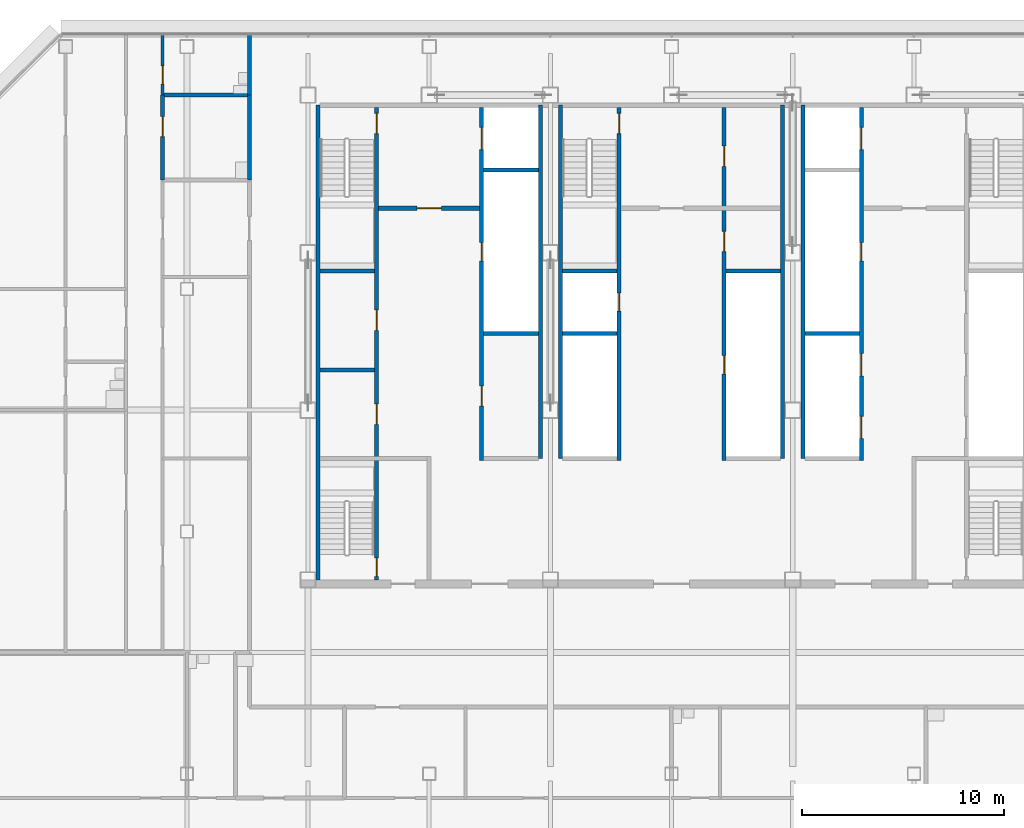
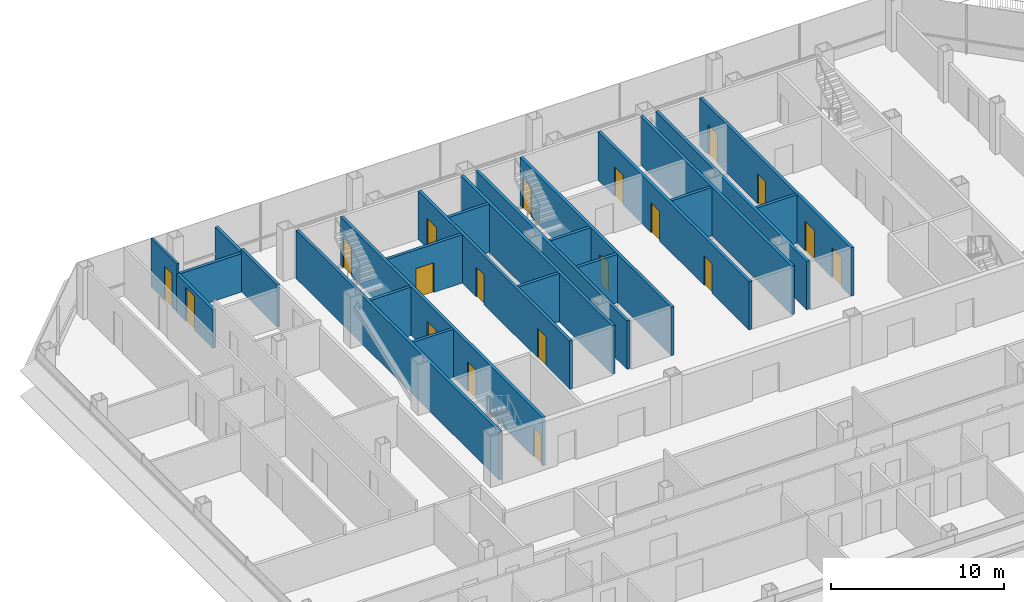
# One storey, part 20 of 27: 24 walls, 19 doors, 19 openings.
"""IFC4 building model written with IfcOpenShell, lengths in metres."""

from ifc_helpers import new_model, si_unit, direction, frame, frame_2d, origin, place, context, subcontext, project, spatial, rectangle, extrude, material, layer, layer_set, type_object, element, fill, save


model = new_model("IFC4")

# Units and contexts
model_context = context("Model", 3, precision=1e-05, world=origin(), true_north=direction((0.0, 1.0)))
body_context = subcontext(model_context, "Body", "Model", "MODEL_VIEW")
ifc_project = project(units=[si_unit("LENGTHUNIT", "METRE"), si_unit("AREAUNIT", "SQUARE_METRE"), si_unit("VOLUMEUNIT", "CUBIC_METRE"), si_unit("PLANEANGLEUNIT", "RADIAN"), si_unit("MASSUNIT", "GRAM", prefix="KILO")], contexts=[model_context])

# Site, building, storey
site_placement = place(None, origin())
site = spatial("IfcSite", under=ifc_project, at=site_placement, CompositionType="ELEMENT")
building_placement = place(site_placement, origin())
building = spatial("IfcBuilding", under=site, at=building_placement, Name="Sorahane Residences", CompositionType="ELEMENT")
storey_placement = place(building_placement, frame((0.0, 0.0, 192.0)))
storey = spatial("IfcBuildingStorey", under=building, at=storey_placement, Name="L44", CompositionType="ELEMENT", Elevation=192.0)

# Walls
ifc_material_1 = material(Name="Concrete C30", Category="concrete")
ifc_layer_1 = layer(ifc_material_1, 0.199951171875)
ifc_layer_set_1 = layer_set([ifc_layer_1], Name="Core face wall 200 EI 180")
wall_type_1 = type_object("IfcWallType", Name="Core face wall 200 EI 180", PredefinedType="SOLIDWALL", material=ifc_layer_set_1)
wall_1_placement = place(storey_placement, frame((6.5, 21.60009765625, 0.0), z_axis=(0.0, 0.0, 1.0), x_axis=(0.0, 1.0, 0.0)))
element("IfcWall", 1, at=wall_1_placement, inside=storey, type_object=wall_type_1, Name="L44 core face wall", PredefinedType="SOLIDWALL", context=body_context, shape_type="SweptSolid", body=[
    extrude(rectangle(XDim=23.5, YDim=0.199951171875, at=frame_2d((11.75, 0.0))), origin(), (0.0, 0.0, 1.0), 3.419921875),
])
for number, where, z_axis, x_axis, name in (
    (2, (17.5, 27.60009765625, 0.0), (0.0, 0.0, 1.0), (0.0, 1.0, 0.0), "L44 core face wall"),
    (3, (18.5, 27.60009765625, 0.0), (0.0, 0.0, 1.0), (0.0, 1.0, 0.0), "L44 core face wall"),
    (4, (29.5, 27.60009765625, 0.0), (0.0, 0.0, 1.0), (0.0, 1.0, 0.0), "L44 core face wall"),
    (5, (30.5, 27.60009765625, 0.0), (0.0, 0.0, 1.0), (0.0, 1.0, 0.0), "L44 core face wall"),
):
    element("IfcWall", number, at=place(storey_placement, frame(where, z_axis=z_axis, x_axis=x_axis)), inside=storey, type_object=wall_type_1, Name=name, PredefinedType="SOLIDWALL", context=body_context, shape_type="SweptSolid", body=[
        extrude(rectangle(XDim=17.5, YDim=0.199951171875, at=frame_2d((8.75, 0.0))), origin(), (0.0, 0.0, 1.0), 3.419921875),
    ])
ifc_material_2 = material(Name="Concrete blockwork C20 wall", Category="masonry")
ifc_layer_2 = layer(ifc_material_2, 0.199951171875)
ifc_layer_set_2 = layer_set([ifc_layer_2], Name="Corridor wall 200 EI 120")
wall_type_2 = type_object("IfcWallType", Name="Corridor wall 200 EI 120", PredefinedType="SOLIDWALL", material=ifc_layer_set_2)
wall_2_placement = place(storey_placement, frame((3.10009765625, 45.60009765625, 0.0), z_axis=(0.0, 0.0, 1.0), x_axis=(0.0, 1.0, 0.0)))
element("IfcWall", 6, at=wall_2_placement, inside=storey, type_object=wall_type_2, Name="L44 corridor wall", PredefinedType="SOLIDWALL", context=body_context, shape_type="SweptSolid", body=[
    extrude(rectangle(XDim=3.0, YDim=0.199951171875, at=frame_2d((1.5, 0.0))), origin(), (0.0, 0.0, 1.0), 2.719970703125),
])

# Wall, opening, door
ifc_material_3 = material(Name="Concrete C30", Category="concrete")
ifc_layer_3 = layer(ifc_material_3, 0.199951171875)
ifc_layer_set_3 = layer_set([ifc_layer_3], Name="Front room wall 200 EI 120")
wall_type_3 = type_object("IfcWallType", Name="Front room wall 200 EI 120", PredefinedType="PARTITIONING", material=ifc_layer_set_3)
wall_3_placement = place(storey_placement, frame((9.5, 40.0, 0.0), z_axis=(0.0, 0.0, 1.0), x_axis=(1.0, 0.0, 0.0)))
wall_3 = element("IfcWall", 7, at=wall_3_placement, inside=storey, type_object=wall_type_3, Name="L44 front room wall", PredefinedType="PARTITIONING", context=body_context, shape_type="SweptSolid", body=[
    extrude(rectangle(XDim=5.0, YDim=0.199951171875, at=frame_2d((2.5, 0.0))), origin(), (0.0, 0.0, 1.0), 3.419921875),
])
opening_1_placement = place(wall_3_placement, frame((1.89990234375, 0.0, 0.0)))
opening_1 = element("IfcOpeningElement", 8, at=opening_1_placement, cuts=wall_3, Name="Opening L44-C06", PredefinedType="OPENING", context=body_context, shape_type="SweptSolid", body=[
    extrude(rectangle(XDim=1.199951171875, YDim=2.10009765625, at=frame_2d((0.60009765625, 1.050048828125))), frame((0.0, 0.10986328125, 0.0), z_axis=(0.0, -1.0, 0.0), x_axis=(1.0, 0.0, 0.0)), (0.0, 0.0, 1.0), 0.219970703125),
])
ifc_material_4 = material(Name="Steel", Category="steel")
door_type_1 = type_object("IfcDoorType", Name="Front room door 1200x2100 FD120", OperationType="NOTDEFINED", PredefinedType="DOOR", material=ifc_material_4)
door_1_placement = place(opening_1_placement, frame((1.199951171875, 0.0, 0.0), z_axis=(0.0, 0.0, 1.0), x_axis=(-1.0, 0.0, 0.0)))
door_1 = element("IfcDoor", 9, at=door_1_placement, inside=storey, type_object=door_type_1, Name="Front room door Firefighting lobby FF1 front room L44", OperationType="DOUBLE_DOOR_SINGLE_SWING", OverallHeight=2.10009765625, OverallWidth=1.199951171875, PredefinedType="DOOR", context=body_context, shape_type="SweptSolid", body=[
    extrude(rectangle(XDim=1.199951171875, YDim=2.10009765625, at=frame_2d((0.60009765625, 1.050048828125))), frame((0.0, 0.02490234375, 0.0), z_axis=(0.0, -1.0, 0.0), x_axis=(1.0, 0.0, 0.0)), (0.0, 0.0, 1.0), 0.050048828125),
])
fill(opening_1, door_1)

ifc_material_5 = material(Name="Concrete blockwork C20 wall", Category="masonry")
ifc_layer_4 = layer(ifc_material_5, 0.199951171875)
ifc_layer_set_4 = layer_set([ifc_layer_4], Name="Kitchen wall 200 EI 180")
wall_type_4 = type_object("IfcWallType", Name="Kitchen wall 200 EI 180", PredefinedType="SOLIDWALL", material=ifc_layer_set_4)
wall_4_placement = place(storey_placement, frame((-1.199951171875, 41.39990234375, 0.0), z_axis=(0.0, 0.0, 1.0), x_axis=(0.0, 1.0, 0.0)))
wall_4 = element("IfcWall", 10, at=wall_4_placement, inside=storey, type_object=wall_type_4, Name="L44 kitchen wall", PredefinedType="SOLIDWALL", context=body_context, shape_type="SweptSolid", body=[
    extrude(rectangle(XDim=4.2001953125, YDim=0.199951171875, at=frame_2d((2.10009765625, 0.0))), origin(), (0.0, 0.0, 1.0), 2.719970703125),
])
opening_2_placement = place(wall_4_placement, frame((2.139892578125, 0.0, 0.0)))
opening_2 = element("IfcOpeningElement", 11, at=opening_2_placement, cuts=wall_4, Name="Opening L44-35", PredefinedType="OPENING", context=body_context, shape_type="SweptSolid", body=[
    extrude(rectangle(XDim=1.0, YDim=2.39990234375, at=frame_2d((0.5, 1.199951171875))), frame((0.0, 0.10986328125, 0.0), z_axis=(0.0, -1.0, 0.0), x_axis=(1.0, 0.0, 0.0)), (0.0, 0.0, 1.0), 0.219970703125),
])
ifc_material_6 = material(Name="Steel", Category="steel")
door_type_2 = type_object("IfcDoorType", Name="Kitchen door 1000x2400 FD120", OperationType="NOTDEFINED", PredefinedType="DOOR", material=ifc_material_6)
door_2_placement = place(opening_2_placement, frame((1.0, 0.0, 0.0), z_axis=(0.0, 0.0, 1.0), x_axis=(-1.0, 0.0, 0.0)))
door_2 = element("IfcDoor", 12, at=door_2_placement, inside=storey, type_object=door_type_2, Name="Kitchen door L44-35", OperationType="SINGLE_SWING_LEFT", OverallHeight=2.39990234375, OverallWidth=1.0, PredefinedType="DOOR", context=body_context, shape_type="SweptSolid", body=[
    extrude(rectangle(XDim=1.0, YDim=2.39990234375, at=frame_2d((0.5, 1.199951171875))), frame((0.0, 0.02490234375, 0.0), z_axis=(0.0, -1.0, 0.0), x_axis=(1.0, 0.0, 0.0)), (0.0, 0.0, 1.0), 0.050048828125),
])
fill(opening_2, door_2)

# Walls
wall_5_placement = place(storey_placement, frame((3.10009765625, 41.39990234375, 0.0), z_axis=(0.0, 0.0, 1.0), x_axis=(0.0, 1.0, 0.0)))
element("IfcWall", 13, at=wall_5_placement, inside=storey, type_object=wall_type_4, Name="L44 kitchen wall", PredefinedType="SOLIDWALL", context=body_context, shape_type="SweptSolid", body=[
    extrude(rectangle(XDim=4.2001953125, YDim=0.199951171875, at=frame_2d((2.10009765625, 0.0))), origin(), (0.0, 0.0, 1.0), 2.969970703125),
])
wall_6_placement = place(storey_placement, frame((-1.199951171875, 45.60009765625, 0.0), z_axis=(0.0, 0.0, 1.0), x_axis=(1.0, 0.0, 0.0)))
element("IfcWall", 14, at=wall_6_placement, inside=storey, type_object=wall_type_4, Name="L44 kitchen wall", PredefinedType="SOLIDWALL", context=body_context, shape_type="SweptSolid", body=[
    extrude(rectangle(XDim=4.300048828125, YDim=0.199951171875, at=frame_2d((2.14990234375, 0.0))), origin(), (0.0, 0.0, 1.0), 2.719970703125),
])

# Wall, openings, doors
ifc_material_7 = material(Name="Concrete C30", Category="concrete")
ifc_layer_5 = layer(ifc_material_7, 0.199951171875)
ifc_layer_set_5 = layer_set([ifc_layer_5], Name="Lift shaft wall 200 EI 120")
wall_type_5 = type_object("IfcWallType", Name="Lift shaft wall 200 EI 120", PredefinedType="SOLIDWALL", material=ifc_layer_set_5)
wall_7_placement = place(storey_placement, frame((14.60009765625, 27.5, 0.0), z_axis=(0.0, 0.0, 1.0), x_axis=(0.0, 1.0, 0.0)))
wall_7 = element("IfcWall", 15, at=wall_7_placement, inside=storey, type_object=wall_type_5, Name="L44 lift shaft wall", PredefinedType="SOLIDWALL", context=body_context, shape_type="SweptSolid", body=[
    extrude(rectangle(XDim=17.5, YDim=0.199951171875, at=frame_2d((8.75, 0.0))), origin(), (0.0, 0.0, 1.0), 3.419921875),
])
opening_3_placement = place(wall_7_placement, frame((15.39990234375, 0.0, 0.0)))
opening_3 = element("IfcOpeningElement", 16, at=opening_3_placement, cuts=wall_7, Name="Opening L44-C15", PredefinedType="OPENING", context=body_context, shape_type="SweptSolid", body=[
    extrude(rectangle(XDim=1.10009765625, YDim=2.10009765625, at=frame_2d((0.550048828125, 1.050048828125))), frame((0.0, 0.10986328125, 0.0), z_axis=(0.0, -1.0, 0.0), x_axis=(1.0, 0.0, 0.0)), (0.0, 0.0, 1.0), 0.219970703125),
])
opening_4_placement = place(wall_7_placement, frame((2.699951171875, 0.0, 0.0)))
opening_4 = element("IfcOpeningElement", 17, at=opening_4_placement, cuts=wall_7, Name="Opening L44-C16", PredefinedType="OPENING", context=body_context, shape_type="SweptSolid", body=[
    extrude(rectangle(XDim=1.0, YDim=2.10009765625, at=frame_2d((0.5, 1.050048828125))), frame((0.0, 0.10986328125, 0.0), z_axis=(0.0, -1.0, 0.0), x_axis=(1.0, 0.0, 0.0)), (0.0, 0.0, 1.0), 0.219970703125),
])
opening_5_placement = place(wall_7_placement, frame((9.89990234375, 0.0, 0.0)))
opening_5 = element("IfcOpeningElement", 18, at=opening_5_placement, cuts=wall_7, Name="Opening L44-C24", PredefinedType="OPENING", context=body_context, shape_type="SweptSolid", body=[
    extrude(rectangle(XDim=0.89990234375, YDim=2.10009765625, at=frame_2d((0.449951171875, 1.050048828125))), frame((0.0, 0.10986328125, 0.0), z_axis=(0.0, -1.0, 0.0), x_axis=(1.0, 0.0, 0.0)), (0.0, 0.0, 1.0), 0.219970703125),
])
ifc_material_8 = material(Name="Aluminium and stainless steel", Category="steel")
door_type_3 = type_object("IfcDoorType", Name="Lift landing door 1100x2100 E 60", OperationType="NOTDEFINED", PredefinedType="DOOR", material=ifc_material_8)
door_3_placement = place(opening_3_placement, origin())
door_3 = element("IfcDoor", 19, at=door_3_placement, inside=storey, type_object=door_type_3, Name="Lift landing door FF1 L44", OperationType="DOUBLE_DOOR_SLIDING", OverallHeight=2.10009765625, OverallWidth=1.10009765625, PredefinedType="DOOR", context=body_context, shape_type="SweptSolid", body=[
    extrude(rectangle(XDim=1.10009765625, YDim=2.10009765625, at=frame_2d((0.550048828125, 1.050048828125))), frame((0.0, 0.02490234375, 0.0), z_axis=(0.0, -1.0, 0.0), x_axis=(1.0, 0.0, 0.0)), (0.0, 0.0, 1.0), 0.050048828125),
])
fill(opening_3, door_3)
ifc_material_9 = material(Name="Steel", Category="steel")
door_type_4 = type_object("IfcDoorType", Name="Riser door 900x2100 FD120", OperationType="NOTDEFINED", PredefinedType="DOOR", material=ifc_material_9)
door_4_placement = place(opening_5_placement, origin())
door_4 = element("IfcDoor", 20, at=door_4_placement, inside=storey, type_object=door_type_4, Name="Riser door R1 L44", OperationType="SINGLE_SWING_LEFT", OverallHeight=2.10009765625, OverallWidth=0.89990234375, PredefinedType="DOOR", context=body_context, shape_type="SweptSolid", body=[
    extrude(rectangle(XDim=0.89990234375, YDim=2.10009765625, at=frame_2d((0.449951171875, 1.050048828125))), frame((0.0, 0.02490234375, 0.0), z_axis=(0.0, -1.0, 0.0), x_axis=(1.0, 0.0, 0.0)), (0.0, 0.0, 1.0), 0.050048828125),
])
fill(opening_5, door_4)
ifc_material_10 = material(Name="Steel", Category="steel")
door_type_5 = type_object("IfcDoorType", Name="Service room door 1000x2100 FD60", OperationType="NOTDEFINED", PredefinedType="DOOR", material=ifc_material_10)
door_5_placement = place(opening_4_placement, frame((1.0, 0.0, 0.0), z_axis=(0.0, 0.0, 1.0), x_axis=(-1.0, 0.0, 0.0)))
door_5 = element("IfcDoor", 21, at=door_5_placement, inside=storey, type_object=door_type_5, Name="Service room door Gift store L44", OperationType="SINGLE_SWING_RIGHT", OverallHeight=2.10009765625, OverallWidth=1.0, PredefinedType="DOOR", context=body_context, shape_type="SweptSolid", body=[
    extrude(rectangle(XDim=1.0, YDim=2.10009765625, at=frame_2d((0.5, 1.050048828125))), frame((0.0, 0.02490234375, 0.0), z_axis=(0.0, -1.0, 0.0), x_axis=(1.0, 0.0, 0.0)), (0.0, 0.0, 1.0), 0.050048828125),
])
fill(opening_4, door_5)

wall_8_placement = place(storey_placement, frame((33.39990234375, 27.5, 0.0), z_axis=(0.0, 0.0, 1.0), x_axis=(0.0, 1.0, 0.0)))
wall_8 = element("IfcWall", 22, at=wall_8_placement, inside=storey, type_object=wall_type_5, Name="L44 lift shaft wall", PredefinedType="SOLIDWALL", context=body_context, shape_type="SweptSolid", body=[
    extrude(rectangle(XDim=17.5, YDim=0.199951171875, at=frame_2d((8.75, 0.0))), origin(), (0.0, 0.0, 1.0), 3.419921875),
])
opening_6_placement = place(wall_8_placement, frame((1.10009765625, 0.0, 0.0)))
opening_6 = element("IfcOpeningElement", 23, at=opening_6_placement, cuts=wall_8, Name="Opening L44-C12", PredefinedType="OPENING", context=body_context, shape_type="SweptSolid", body=[
    extrude(rectangle(XDim=1.10009765625, YDim=2.10009765625, at=frame_2d((0.550048828125, 1.050048828125))), frame((0.0, 0.10986328125, 0.0), z_axis=(0.0, -1.0, 0.0), x_axis=(1.0, 0.0, 0.0)), (0.0, 0.0, 1.0), 0.219970703125),
])
opening_7_placement = place(wall_8_placement, frame((4.199951171875, 0.0, 0.0)))
opening_7 = element("IfcOpeningElement", 24, at=opening_7_placement, cuts=wall_8, Name="Opening L44-C13", PredefinedType="OPENING", context=body_context, shape_type="SweptSolid", body=[
    extrude(rectangle(XDim=1.10009765625, YDim=2.10009765625, at=frame_2d((0.550048828125, 1.050048828125))), frame((0.0, 0.10986328125, 0.0), z_axis=(0.0, -1.0, 0.0), x_axis=(1.0, 0.0, 0.0)), (0.0, 0.0, 1.0), 0.219970703125),
])
opening_8_placement = place(wall_8_placement, frame((15.39990234375, 0.0, 0.0)))
opening_8 = element("IfcOpeningElement", 25, at=opening_8_placement, cuts=wall_8, Name="Opening L44-C14", PredefinedType="OPENING", context=body_context, shape_type="SweptSolid", body=[
    extrude(rectangle(XDim=1.10009765625, YDim=2.10009765625, at=frame_2d((0.550048828125, 1.050048828125))), frame((0.0, 0.10986328125, 0.0), z_axis=(0.0, -1.0, 0.0), x_axis=(1.0, 0.0, 0.0)), (0.0, 0.0, 1.0), 0.219970703125),
])
opening_9_placement = place(wall_8_placement, frame((9.89990234375, 0.0, 0.0)))
opening_9 = element("IfcOpeningElement", 26, at=opening_9_placement, cuts=wall_8, Name="Opening L44-C25", PredefinedType="OPENING", context=body_context, shape_type="SweptSolid", body=[
    extrude(rectangle(XDim=0.89990234375, YDim=2.10009765625, at=frame_2d((0.449951171875, 1.050048828125))), frame((0.0, 0.10986328125, 0.0), z_axis=(0.0, -1.0, 0.0), x_axis=(1.0, 0.0, 0.0)), (0.0, 0.0, 1.0), 0.219970703125),
])
door_6_placement = place(opening_6_placement, origin())
door_6 = element("IfcDoor", 27, at=door_6_placement, inside=storey, type_object=door_type_3, Name="Lift landing door HR4 L44", OperationType="DOUBLE_DOOR_SLIDING", OverallHeight=2.10009765625, OverallWidth=1.10009765625, PredefinedType="DOOR", context=body_context, shape_type="SweptSolid", body=[
    extrude(rectangle(XDim=1.10009765625, YDim=2.10009765625, at=frame_2d((0.550048828125, 1.050048828125))), frame((0.0, 0.02490234375, 0.0), z_axis=(0.0, -1.0, 0.0), x_axis=(1.0, 0.0, 0.0)), (0.0, 0.0, 1.0), 0.050048828125),
])
fill(opening_6, door_6)
door_7_placement = place(opening_7_placement, origin())
door_7 = element("IfcDoor", 28, at=door_7_placement, inside=storey, type_object=door_type_3, Name="Lift landing door HR5 L44", OperationType="DOUBLE_DOOR_SLIDING", OverallHeight=2.10009765625, OverallWidth=1.10009765625, PredefinedType="DOOR", context=body_context, shape_type="SweptSolid", body=[
    extrude(rectangle(XDim=1.10009765625, YDim=2.10009765625, at=frame_2d((0.550048828125, 1.050048828125))), frame((0.0, 0.02490234375, 0.0), z_axis=(0.0, -1.0, 0.0), x_axis=(1.0, 0.0, 0.0)), (0.0, 0.0, 1.0), 0.050048828125),
])
fill(opening_7, door_7)
door_8_placement = place(opening_8_placement, origin())
door_8 = element("IfcDoor", 29, at=door_8_placement, inside=storey, type_object=door_type_3, Name="Lift landing door FF2 L44", OperationType="DOUBLE_DOOR_SLIDING", OverallHeight=2.10009765625, OverallWidth=1.10009765625, PredefinedType="DOOR", context=body_context, shape_type="SweptSolid", body=[
    extrude(rectangle(XDim=1.10009765625, YDim=2.10009765625, at=frame_2d((0.550048828125, 1.050048828125))), frame((0.0, 0.02490234375, 0.0), z_axis=(0.0, -1.0, 0.0), x_axis=(1.0, 0.0, 0.0)), (0.0, 0.0, 1.0), 0.050048828125),
])
fill(opening_8, door_8)
door_9_placement = place(opening_9_placement, frame((0.89990234375, 0.0, 0.0), z_axis=(0.0, 0.0, 1.0), x_axis=(-1.0, 0.0, 0.0)))
door_9 = element("IfcDoor", 30, at=door_9_placement, inside=storey, type_object=door_type_4, Name="Riser door R2 L44", OperationType="SINGLE_SWING_LEFT", OverallHeight=2.10009765625, OverallWidth=0.89990234375, PredefinedType="DOOR", context=body_context, shape_type="SweptSolid", body=[
    extrude(rectangle(XDim=0.89990234375, YDim=2.10009765625, at=frame_2d((0.449951171875, 1.050048828125))), frame((0.0, 0.02490234375, 0.0), z_axis=(0.0, -1.0, 0.0), x_axis=(1.0, 0.0, 0.0)), (0.0, 0.0, 1.0), 0.050048828125),
])
fill(opening_9, door_9)

# Walls
for number, where, z_axis, x_axis, name in (
    (31, (18.60009765625, 33.800048828125, 0.0), (0.0, 0.0, 1.0), (1.0, 0.0, 0.0), "L44 lift shaft wall"),
    (32, (30.60009765625, 33.800048828125, 0.0), (0.0, 0.0, 1.0), (1.0, 0.0, 0.0), "L44 lift shaft wall"),
    (33, (14.699951171875, 41.89990234375, 0.0), (0.0, 0.0, 1.0), (1.0, 0.0, 0.0), "L44 lift shaft wall"),
):
    element("IfcWall", number, at=place(storey_placement, frame(where, z_axis=z_axis, x_axis=x_axis)), inside=storey, type_object=wall_type_5, Name=name, PredefinedType="SOLIDWALL", context=body_context, shape_type="SweptSolid", body=[
        extrude(rectangle(XDim=2.699951171875, YDim=0.199951171875, at=frame_2d((1.35009765625, 0.0))), origin(), (0.0, 0.0, 1.0), 3.419921875),
    ])

# Wall, openings, doors
ifc_material_11 = material(Name="Concrete C30", Category="concrete")
ifc_layer_6 = layer(ifc_material_11, 0.199951171875)
ifc_layer_set_6 = layer_set([ifc_layer_6], Name="Riser shaft wall 200 EI 120")
wall_type_6 = type_object("IfcWallType", Name="Riser shaft wall 200 EI 120", PredefinedType="SOLIDWALL", material=ifc_layer_set_6)
wall_9_placement = place(storey_placement, frame((26.60009765625, 27.5, 0.0), z_axis=(0.0, 0.0, 1.0), x_axis=(0.0, 1.0, 0.0)))
wall_9 = element("IfcWall", 34, at=wall_9_placement, inside=storey, type_object=wall_type_6, Name="L44 riser wall", PredefinedType="SOLIDWALL", context=body_context, shape_type="SweptSolid", body=[
    extrude(rectangle(XDim=17.5, YDim=0.199951171875, at=frame_2d((8.75, 0.0))), origin(), (0.0, 0.0, 1.0), 3.419921875),
])
opening_10_placement = place(wall_9_placement, frame((4.300048828125, 0.0, 0.0)))
opening_10 = element("IfcOpeningElement", 35, at=opening_10_placement, cuts=wall_9, Name="Opening L44-C27", PredefinedType="OPENING", context=body_context, shape_type="SweptSolid", body=[
    extrude(rectangle(XDim=0.89990234375, YDim=2.10009765625, at=frame_2d((0.449951171875, 1.050048828125))), frame((0.0, 0.10986328125, 0.0), z_axis=(0.0, -1.0, 0.0), x_axis=(1.0, 0.0, 0.0)), (0.0, 0.0, 1.0), 0.219970703125),
])
opening_11_placement = place(wall_9_placement, frame((10.35009765625, 0.0, 0.0)))
opening_11 = element("IfcOpeningElement", 36, at=opening_11_placement, cuts=wall_9, Name="Opening L44-C28", PredefinedType="OPENING", context=body_context, shape_type="SweptSolid", body=[
    extrude(rectangle(XDim=1.0, YDim=2.10009765625, at=frame_2d((0.5, 1.050048828125))), frame((0.0, 0.10986328125, 0.0), z_axis=(0.0, -1.0, 0.0), x_axis=(1.0, 0.0, 0.0)), (0.0, 0.0, 1.0), 0.219970703125),
])
opening_12_placement = place(wall_9_placement, frame((14.574951171875, 0.0, 0.0)))
opening_12 = element("IfcOpeningElement", 37, at=opening_12_placement, cuts=wall_9, Name="Opening L44-C29", PredefinedType="OPENING", context=body_context, shape_type="SweptSolid", body=[
    extrude(rectangle(XDim=1.0, YDim=2.10009765625, at=frame_2d((0.5, 1.050048828125))), frame((0.0, 0.10986328125, 0.0), z_axis=(0.0, -1.0, 0.0), x_axis=(1.0, 0.0, 0.0)), (0.0, 0.0, 1.0), 0.219970703125),
])
door_10_placement = place(opening_10_placement, origin())
door_10 = element("IfcDoor", 38, at=door_10_placement, inside=storey, type_object=door_type_4, Name="Riser door R4 L44", OperationType="SINGLE_SWING_LEFT", OverallHeight=2.10009765625, OverallWidth=0.89990234375, PredefinedType="DOOR", context=body_context, shape_type="SweptSolid", body=[
    extrude(rectangle(XDim=0.89990234375, YDim=2.10009765625, at=frame_2d((0.449951171875, 1.050048828125))), frame((0.0, 0.02490234375, 0.0), z_axis=(0.0, -1.0, 0.0), x_axis=(1.0, 0.0, 0.0)), (0.0, 0.0, 1.0), 0.050048828125),
])
fill(opening_10, door_10)
door_11_placement = place(opening_11_placement, frame((1.0, 0.0, 0.0), z_axis=(0.0, 0.0, 1.0), x_axis=(-1.0, 0.0, 0.0)))
door_11 = element("IfcDoor", 39, at=door_11_placement, inside=storey, type_object=door_type_5, Name="Service room door Linen room L44", OperationType="SINGLE_SWING_LEFT", OverallHeight=2.10009765625, OverallWidth=1.0, PredefinedType="DOOR", context=body_context, shape_type="SweptSolid", body=[
    extrude(rectangle(XDim=1.0, YDim=2.10009765625, at=frame_2d((0.5, 1.050048828125))), frame((0.0, 0.02490234375, 0.0), z_axis=(0.0, -1.0, 0.0), x_axis=(1.0, 0.0, 0.0)), (0.0, 0.0, 1.0), 0.050048828125),
])
fill(opening_11, door_11)
door_12_placement = place(opening_12_placement, frame((1.0, 0.0, 0.0), z_axis=(0.0, 0.0, 1.0), x_axis=(-1.0, 0.0, 0.0)))
door_12 = element("IfcDoor", 40, at=door_12_placement, inside=storey, type_object=door_type_5, Name="Service room door Cleaners' store L44", OperationType="SINGLE_SWING_LEFT", OverallHeight=2.10009765625, OverallWidth=1.0, PredefinedType="DOOR", context=body_context, shape_type="SweptSolid", body=[
    extrude(rectangle(XDim=1.0, YDim=2.10009765625, at=frame_2d((0.5, 1.050048828125))), frame((0.0, 0.02490234375, 0.0), z_axis=(0.0, -1.0, 0.0), x_axis=(1.0, 0.0, 0.0)), (0.0, 0.0, 1.0), 0.050048828125),
])
fill(opening_12, door_12)

# Walls
for number, where, z_axis, x_axis, name in (
    (41, (14.699951171875, 33.800048828125, 0.0), (0.0, 0.0, 1.0), (1.0, 0.0, 0.0), "L44 riser wall"),
    (42, (26.699951171875, 36.89990234375, 0.0), (0.0, 0.0, 1.0), (1.0, 0.0, 0.0), "L44 riser wall"),
):
    element("IfcWall", number, at=place(storey_placement, frame(where, z_axis=z_axis, x_axis=x_axis)), inside=storey, type_object=wall_type_6, Name=name, PredefinedType="SOLIDWALL", context=body_context, shape_type="SweptSolid", body=[
        extrude(rectangle(XDim=2.699951171875, YDim=0.199951171875, at=frame_2d((1.35009765625, 0.0))), origin(), (0.0, 0.0, 1.0), 3.419921875),
    ])
ifc_material_12 = material(Name="Concrete C30", Category="concrete")
ifc_layer_7 = layer(ifc_material_12, 0.199951171875)
ifc_layer_set_7 = layer_set([ifc_layer_7], Name="Service room partition 200 EI 60")
wall_type_7 = type_object("IfcWallType", Name="Service room partition 200 EI 60", PredefinedType="PARTITIONING", material=ifc_layer_set_7)
wall_10_placement = place(storey_placement, frame((6.60009765625, 32.0, 0.0), z_axis=(0.0, 0.0, 1.0), x_axis=(1.0, 0.0, 0.0)))
element("IfcWall", 43, at=wall_10_placement, inside=storey, type_object=wall_type_7, Name="L44 service room wall", PredefinedType="PARTITIONING", context=body_context, shape_type="SweptSolid", body=[
    extrude(rectangle(XDim=2.699951171875, YDim=0.199951171875, at=frame_2d((1.35009765625, 0.0))), origin(), (0.0, 0.0, 1.0), 3.419921875),
])

# Wall, openings, doors
ifc_material_13 = material(Name="Concrete C30", Category="concrete")
ifc_layer_8 = layer(ifc_material_13, 0.199951171875)
ifc_layer_set_8 = layer_set([ifc_layer_8], Name="Stair enclosure wall 200 EI 120")
wall_type_8 = type_object("IfcWallType", Name="Stair enclosure wall 200 EI 120", PredefinedType="SOLIDWALL", material=ifc_layer_set_8)
wall_11_placement = place(storey_placement, frame((21.39990234375, 27.5, 0.0), z_axis=(0.0, 0.0, 1.0), x_axis=(0.0, 1.0, 0.0)))
wall_11 = element("IfcWall", 44, at=wall_11_placement, inside=storey, type_object=wall_type_8, Name="L44 stair enclosure wall", PredefinedType="SOLIDWALL", context=body_context, shape_type="SweptSolid", body=[
    extrude(rectangle(XDim=17.5, YDim=0.199951171875, at=frame_2d((8.75, 0.0))), origin(), (0.0, 0.0, 1.0), 3.419921875),
])
opening_13_placement = place(wall_11_placement, frame((16.199951171875, 0.0, 0.0)))
opening_13 = element("IfcOpeningElement", 45, at=opening_13_placement, cuts=wall_11, Name="Opening L44-C21", PredefinedType="OPENING", context=body_context, shape_type="SweptSolid", body=[
    extrude(rectangle(XDim=1.0, YDim=2.10009765625, at=frame_2d((0.5, 1.050048828125))), frame((0.0, 0.10986328125, 0.0), z_axis=(0.0, -1.0, 0.0), x_axis=(1.0, 0.0, 0.0)), (0.0, 0.0, 1.0), 0.219970703125),
])
opening_14_placement = place(wall_11_placement, frame((7.39990234375, 0.0, 0.0)))
opening_14 = element("IfcOpeningElement", 46, at=opening_14_placement, cuts=wall_11, Name="Opening L44-C26", PredefinedType="OPENING", context=body_context, shape_type="SweptSolid", body=[
    extrude(rectangle(XDim=0.89990234375, YDim=2.10009765625, at=frame_2d((0.449951171875, 1.050048828125))), frame((0.0, 0.10986328125, 0.0), z_axis=(0.0, -1.0, 0.0), x_axis=(1.0, 0.0, 0.0)), (0.0, 0.0, 1.0), 0.219970703125),
])
door_13_placement = place(opening_14_placement, frame((0.89990234375, 0.0, 0.0), z_axis=(0.0, 0.0, 1.0), x_axis=(-1.0, 0.0, 0.0)))
door_13 = element("IfcDoor", 47, at=door_13_placement, inside=storey, type_object=door_type_4, Name="Riser door R3 L44", OperationType="SINGLE_SWING_LEFT", OverallHeight=2.10009765625, OverallWidth=0.89990234375, PredefinedType="DOOR", context=body_context, shape_type="SweptSolid", body=[
    extrude(rectangle(XDim=0.89990234375, YDim=2.10009765625, at=frame_2d((0.449951171875, 1.050048828125))), frame((0.0, 0.02490234375, 0.0), z_axis=(0.0, -1.0, 0.0), x_axis=(1.0, 0.0, 0.0)), (0.0, 0.0, 1.0), 0.050048828125),
])
fill(opening_14, door_13)
ifc_material_14 = material(Name="Steel", Category="steel")
door_type_6 = type_object("IfcDoorType", Name="Stair door 1000x2100 FD120", OperationType="NOTDEFINED", PredefinedType="DOOR", material=ifc_material_14)
door_14_placement = place(opening_13_placement, origin())
door_14 = element("IfcDoor", 48, at=door_14_placement, inside=storey, type_object=door_type_6, Name="Stair door S3 L44", OperationType="SINGLE_SWING_LEFT", OverallHeight=2.10009765625, OverallWidth=1.0, PredefinedType="DOOR", context=body_context, shape_type="SweptSolid", body=[
    extrude(rectangle(XDim=1.0, YDim=2.10009765625, at=frame_2d((0.5, 1.050048828125))), frame((0.0, 0.02490234375, 0.0), z_axis=(0.0, -1.0, 0.0), x_axis=(1.0, 0.0, 0.0)), (0.0, 0.0, 1.0), 0.050048828125),
])
fill(opening_13, door_14)

wall_12_placement = place(storey_placement, frame((9.39990234375, 21.60009765625, 0.0), z_axis=(0.0, 0.0, 1.0), x_axis=(0.0, 1.0, 0.0)))
wall_12 = element("IfcWall", 49, at=wall_12_placement, inside=storey, type_object=wall_type_8, Name="L44 stair enclosure wall", PredefinedType="SOLIDWALL", context=body_context, shape_type="SweptSolid", body=[
    extrude(rectangle(XDim=23.39990234375, YDim=0.199951171875, at=frame_2d((11.699951171875, 0.0))), origin(), (0.0, 0.0, 1.0), 3.419921875),
])
opening_15_placement = place(wall_12_placement, frame((7.699951171875, 0.0, 0.0)))
opening_15 = element("IfcOpeningElement", 50, at=opening_15_placement, cuts=wall_12, Name="Opening L44-C17", PredefinedType="OPENING", context=body_context, shape_type="SweptSolid", body=[
    extrude(rectangle(XDim=1.0, YDim=2.10009765625, at=frame_2d((0.5, 1.050048828125))), frame((0.0, 0.10986328125, 0.0), z_axis=(0.0, -1.0, 0.0), x_axis=(1.0, 0.0, 0.0)), (0.0, 0.0, 1.0), 0.219970703125),
])
opening_16_placement = place(wall_12_placement, frame((12.35009765625, 0.0, 0.0)))
opening_16 = element("IfcOpeningElement", 51, at=opening_16_placement, cuts=wall_12, Name="Opening L44-C18", PredefinedType="OPENING", context=body_context, shape_type="SweptSolid", body=[
    extrude(rectangle(XDim=1.0, YDim=2.10009765625, at=frame_2d((0.5, 1.050048828125))), frame((0.0, 0.10986328125, 0.0), z_axis=(0.0, -1.0, 0.0), x_axis=(1.0, 0.0, 0.0)), (0.0, 0.0, 1.0), 0.219970703125),
])
opening_17_placement = place(wall_12_placement, frame((22.10009765625, 0.0, 0.0)))
opening_17 = element("IfcOpeningElement", 52, at=opening_17_placement, cuts=wall_12, Name="Opening L44-C19", PredefinedType="OPENING", context=body_context, shape_type="SweptSolid", body=[
    extrude(rectangle(XDim=1.0, YDim=2.10009765625, at=frame_2d((0.5, 1.050048828125))), frame((0.0, 0.10986328125, 0.0), z_axis=(0.0, -1.0, 0.0), x_axis=(1.0, 0.0, 0.0)), (0.0, 0.0, 1.0), 0.219970703125),
])
opening_18_placement = place(wall_12_placement, frame((0.175048828125, 0.0, 0.0)))
opening_18 = element("IfcOpeningElement", 53, at=opening_18_placement, cuts=wall_12, Name="Opening L44-C22", PredefinedType="OPENING", context=body_context, shape_type="SweptSolid", body=[
    extrude(rectangle(XDim=0.89990234375, YDim=2.10009765625, at=frame_2d((0.449951171875, 1.050048828125))), frame((0.0, 0.10986328125, 0.0), z_axis=(0.0, -1.0, 0.0), x_axis=(1.0, 0.0, 0.0)), (0.0, 0.0, 1.0), 0.219970703125),
])
door_15_placement = place(opening_15_placement, origin())
door_15 = element("IfcDoor", 54, at=door_15_placement, inside=storey, type_object=door_type_5, Name="Service room door Cinema room L44", OperationType="SINGLE_SWING_LEFT", OverallHeight=2.10009765625, OverallWidth=1.0, PredefinedType="DOOR", context=body_context, shape_type="SweptSolid", body=[
    extrude(rectangle(XDim=1.0, YDim=2.10009765625, at=frame_2d((0.5, 1.050048828125))), frame((0.0, 0.02490234375, 0.0), z_axis=(0.0, -1.0, 0.0), x_axis=(1.0, 0.0, 0.0)), (0.0, 0.0, 1.0), 0.050048828125),
])
fill(opening_15, door_15)
door_16_placement = place(opening_16_placement, origin())
door_16 = element("IfcDoor", 55, at=door_16_placement, inside=storey, type_object=door_type_5, Name="Service room door Gift store L44", OperationType="SINGLE_SWING_LEFT", OverallHeight=2.10009765625, OverallWidth=1.0, PredefinedType="DOOR", context=body_context, shape_type="SweptSolid", body=[
    extrude(rectangle(XDim=1.0, YDim=2.10009765625, at=frame_2d((0.5, 1.050048828125))), frame((0.0, 0.02490234375, 0.0), z_axis=(0.0, -1.0, 0.0), x_axis=(1.0, 0.0, 0.0)), (0.0, 0.0, 1.0), 0.050048828125),
])
fill(opening_16, door_16)
door_17_placement = place(opening_17_placement, origin())
door_17 = element("IfcDoor", 56, at=door_17_placement, inside=storey, type_object=door_type_6, Name="Stair door S1 L44", OperationType="SINGLE_SWING_LEFT", OverallHeight=2.10009765625, OverallWidth=1.0, PredefinedType="DOOR", context=body_context, shape_type="SweptSolid", body=[
    extrude(rectangle(XDim=1.0, YDim=2.10009765625, at=frame_2d((0.5, 1.050048828125))), frame((0.0, 0.02490234375, 0.0), z_axis=(0.0, -1.0, 0.0), x_axis=(1.0, 0.0, 0.0)), (0.0, 0.0, 1.0), 0.050048828125),
])
fill(opening_17, door_17)
ifc_material_15 = material(Name="Steel", Category="steel")
door_type_7 = type_object("IfcDoorType", Name="Stair door 900x2100 FD120", OperationType="NOTDEFINED", PredefinedType="DOOR", material=ifc_material_15)
door_18_placement = place(opening_18_placement, origin())
door_18 = element("IfcDoor", 57, at=door_18_placement, inside=storey, type_object=door_type_7, Name="Stair door S4 L44", OperationType="SINGLE_SWING_LEFT", OverallHeight=2.10009765625, OverallWidth=0.89990234375, PredefinedType="DOOR", context=body_context, shape_type="SweptSolid", body=[
    extrude(rectangle(XDim=0.89990234375, YDim=2.10009765625, at=frame_2d((0.449951171875, 1.050048828125))), frame((0.0, 0.02490234375, 0.0), z_axis=(0.0, -1.0, 0.0), x_axis=(1.0, 0.0, 0.0)), (0.0, 0.0, 1.0), 0.050048828125),
])
fill(opening_18, door_18)

# Walls
for number, where, z_axis, x_axis, name in (
    (58, (18.60009765625, 36.89990234375, 0.0), (0.0, 0.0, 1.0), (1.0, 0.0, 0.0), "L44 stair enclosure wall"),
    (59, (6.60009765625, 36.89990234375, 0.0), (0.0, 0.0, 1.0), (1.0, 0.0, 0.0), "L44 stair enclosure wall"),
):
    element("IfcWall", number, at=place(storey_placement, frame(where, z_axis=z_axis, x_axis=x_axis)), inside=storey, type_object=wall_type_8, Name=name, PredefinedType="SOLIDWALL", context=body_context, shape_type="SweptSolid", body=[
        extrude(rectangle(XDim=2.699951171875, YDim=0.199951171875, at=frame_2d((1.35009765625, 0.0))), origin(), (0.0, 0.0, 1.0), 3.419921875),
    ])

# Wall, opening, door
ifc_material_16 = material(Name="Gypsum board partition on steel studs", Category="steel")
ifc_layer_9 = layer(ifc_material_16, 0.14990234375)
ifc_layer_set_9 = layer_set([ifc_layer_9], Name="Wet wall 150 EI 90")
wall_type_9 = type_object("IfcWallType", Name="Wet wall 150 EI 90", PredefinedType="PARTITIONING", material=ifc_layer_set_9)
wall_13_placement = place(storey_placement, frame((-1.199951171875, 45.60009765625, 0.0), z_axis=(0.0, 0.0, 1.0), x_axis=(0.0, 1.0, 0.0)))
wall_13 = element("IfcWall", 60, at=wall_13_placement, inside=storey, type_object=wall_type_9, Name="L44 wet wall", PredefinedType="PARTITIONING", context=body_context, shape_type="SweptSolid", body=[
    extrude(rectangle(XDim=3.0, YDim=0.14990234375, at=frame_2d((1.5, 0.0))), origin(), (0.0, 0.0, 1.0), 3.419921875),
])
opening_19_placement = place(wall_13_placement, frame((0.550048828125, 0.0, 0.0)))
opening_19 = element("IfcOpeningElement", 61, at=opening_19_placement, cuts=wall_13, Name="Opening L44-36", PredefinedType="OPENING", context=body_context, shape_type="SweptSolid", body=[
    extrude(rectangle(XDim=0.89990234375, YDim=2.39990234375, at=frame_2d((0.449951171875, 1.199951171875))), frame((0.0, 0.0849609375, 0.0), z_axis=(0.0, -1.0, 0.0), x_axis=(1.0, 0.0, 0.0)), (0.0, 0.0, 1.0), 0.169921875),
])
ifc_material_17 = material(Name="Timber veneered fire door", Category="wood")
door_type_8 = type_object("IfcDoorType", Name="Bathroom door 900x2400 FD30", OperationType="NOTDEFINED", PredefinedType="DOOR", material=ifc_material_17)
door_19_placement = place(opening_19_placement, origin())
door_19 = element("IfcDoor", 62, at=door_19_placement, inside=storey, type_object=door_type_8, Name="Bathroom door L44-36", OperationType="SINGLE_SWING_RIGHT", OverallHeight=2.39990234375, OverallWidth=0.89990234375, PredefinedType="DOOR", context=body_context, shape_type="SweptSolid", body=[
    extrude(rectangle(XDim=0.89990234375, YDim=2.39990234375, at=frame_2d((0.449951171875, 1.199951171875))), frame((0.0, 0.02490234375, 0.0), z_axis=(0.0, -1.0, 0.0), x_axis=(1.0, 0.0, 0.0)), (0.0, 0.0, 1.0), 0.050048828125),
])
fill(opening_19, door_19)

save(model, "model.ifc")
